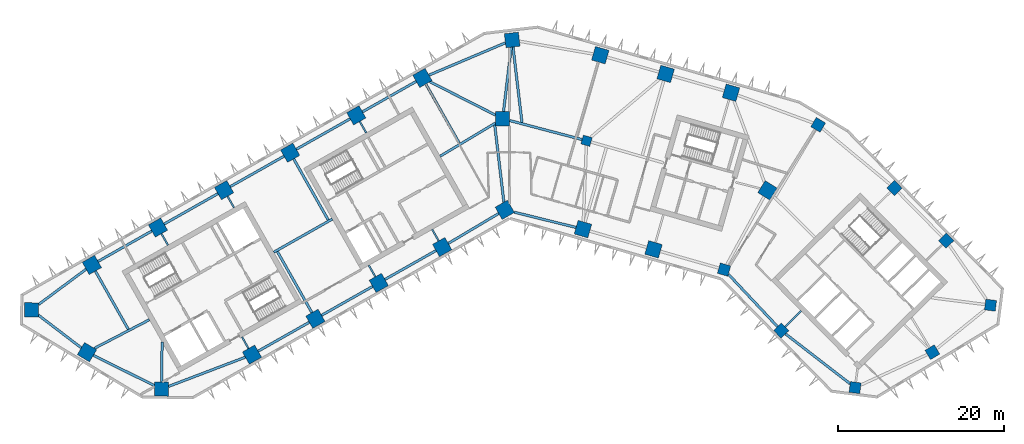
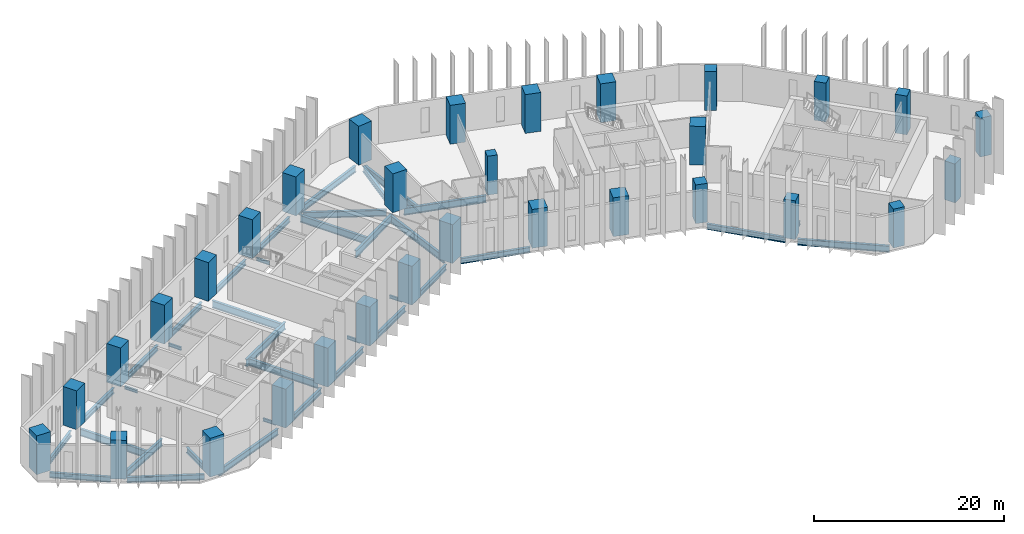
# One storey, part 1 of 11: 37 beams, 31 columns.
"""IFC4 building model written with IfcOpenShell, lengths in metres."""

from ifc_helpers import new_model, si_unit, direction, frame, origin, origin_2d, place, context, subcontext, project, spatial, rectangle, i_section, extrude, material, material_profile, profile_set, type_object, element, save


model = new_model("IFC4")

# Units and contexts
model_context = context("Model", 3, precision=1e-05, world=origin(), true_north=direction((0.0, 1.0)))
body_context = subcontext(model_context, "Body", "Model", "MODEL_VIEW")
ifc_project = project(units=[si_unit("LENGTHUNIT", "METRE"), si_unit("AREAUNIT", "SQUARE_METRE"), si_unit("VOLUMEUNIT", "CUBIC_METRE"), si_unit("PLANEANGLEUNIT", "RADIAN"), si_unit("MASSUNIT", "GRAM", prefix="KILO")], contexts=[model_context])

# Site, building, storey
site_placement = place(None, origin())
site = spatial("IfcSite", under=ifc_project, at=site_placement, CompositionType="ELEMENT")
building_placement = place(site_placement, origin())
building = spatial("IfcBuilding", under=site, at=building_placement, Name="Binnacle Exchange Tower", CompositionType="ELEMENT")
storey_placement = place(building_placement, frame((0.0, 0.0, 46.5)))
storey = spatial("IfcBuildingStorey", under=building, at=storey_placement, Name="L09", CompositionType="ELEMENT", Elevation=46.5)

# Columns
ifc_material_1 = material(Name="Concrete C60/75", Category="concrete")
ifc_material_profile_1 = material_profile(ifc_material_1, rectangle(XDim=1.10009765625, YDim=1.10009765625, at=origin_2d()), Name="Column 1100x1100 C60/75")
ifc_profile_set_1 = profile_set([ifc_material_profile_1], Name="Concrete C60/75")
column_type_1 = type_object("IfcColumnType", Name="Column 1100x1100 C60/75", PredefinedType="COLUMN", material=ifc_profile_set_1)
column_placement = place(storey_placement, frame((9.240966796875, 57.35009765625, 0.0), z_axis=(0.0, 0.0, 1.0), x_axis=(0.961261695938, -0.275637355817, 0.0)))
element("IfcColumn", 1, at=column_placement, inside=storey, type_object=column_type_1, Name="S:COL:C19:L09", PredefinedType="COLUMN", context=body_context, shape_type="SweptSolid", body=[
    extrude(rectangle(XDim=1.10009765625, YDim=1.10009765625, at=origin_2d()), origin(), (0.0, 0.0, 1.0), 5.0),
])
ifc_material_2 = material(Name="Concrete C70/85", Category="concrete")
ifc_material_profile_2 = material_profile(ifc_material_2, rectangle(XDim=1.300048828125, YDim=1.300048828125, at=origin_2d()), Name="Mega column 1300x1300 C70/85")
ifc_profile_set_2 = profile_set([ifc_material_profile_2], Name="Concrete C70/85")
column_type_2 = type_object("IfcColumnType", Name="Mega column 1300x1300 C70/85", PredefinedType="COLUMN", material=ifc_profile_set_2)
for number, where, z_axis, x_axis, name in (
    (2, (37.0849609375, 59.262451171875, 0.0), (0.0, 0.0, 1.0), (-0.859406411501, 0.511293086077, 0.0), "S:COL:MC57:L09"),
    (3, (25.766845703125, 41.85986328125, 0.0), (0.0, 0.0, 1.0), (0.961261695938, -0.275637355817, 0.0), "S:COL:MC56:L09"),
    (4, (32.64111328125, 34.530029296875, 0.0), (0.0, 0.0, 1.0), (0.7009092643, -0.713250449154, 0.0), "S:COL:MC59:L09"),
    (5, (41.519775390625, 27.6748046875, 0.0), (0.0, 0.0, 1.0), (0.99200494968, -0.126198969136, 0.0), "S:COL:MC61:L09"),
    (6, (50.81201171875, 31.930908203125, 0.0), (0.0, 0.0, 1.0), (0.857167300702, 0.51503807491, 0.0), "S:COL:MC63:L09"),
    (7, (57.799072265625, 37.5810546875, 0.0), (0.0, 0.0, 1.0), (0.126198969136, 0.99200494968, 0.0), "S:COL:MC62:L09"),
    (8, (52.466796875, 45.33935546875, 0.0), (0.0, 0.0, 1.0), (-0.7009092643, 0.713250449154, 0.0), "S:COL:MC60:L09"),
    (9, (46.248291015625, 51.667236328125, 0.0), (0.0, 0.0, 1.0), (-0.7009092643, 0.713250449154, 0.0), "S:COL:MC58:L09"),
):
    element("IfcColumn", number, at=place(storey_placement, frame(where, z_axis=z_axis, x_axis=x_axis)), inside=storey, type_object=column_type_2, Name=name, PredefinedType="COLUMN", context=body_context, shape_type="SweptSolid", body=[
        extrude(rectangle(XDim=1.300048828125, YDim=1.300048828125, at=origin_2d()), origin(), (0.0, 0.0, 1.0), 5.0),
    ])
ifc_material_profile_3 = material_profile(ifc_material_2, rectangle(XDim=1.699951171875, YDim=1.699951171875, at=origin_2d()), Name="Mega column 1700x1700 C70/85")
ifc_profile_set_3 = profile_set([ifc_material_profile_3], Name="Concrete C70/85")
column_type_3 = type_object("IfcColumnType", Name="Mega column 1700x1700 C70/85", PredefinedType="COLUMN", material=ifc_profile_set_3)
for number, where, z_axis, x_axis, name in (
    (10, (26.602783203125, 63.12353515625, 0.0), (0.0, 0.0, 1.0), (-0.961261695938, 0.275637355817, 0.0), "S:COL:MC52:L09"),
    (11, (18.746337890625, 65.376220703125, 0.0), (0.0, 0.0, 1.0), (-0.961261695938, 0.275637355817, 0.0), "S:COL:MC50:L09"),
    (12, (10.889892578125, 67.62890625, 0.0), (0.0, 0.0, 1.0), (-0.961261695938, 0.275637355817, 0.0), "S:COL:MC48:L09"),
    (13, (0.300048828125, 69.464111328125, 0.0), (0.0, 0.0, 1.0), (-0.993068456955, -0.117537397458, 0.0), "S:COL:MC47:L09"),
    (14, (-10.4951171875, 64.901611328125, 0.0), (0.0, 0.0, 1.0), (-0.87035569594, -0.492423560103, 0.0), "S:COL:MC38:L09"),
    (15, (-18.44140625, 60.406005859375, 0.0), (0.0, 0.0, 1.0), (-0.87035569594, -0.492423560103, 0.0), "S:COL:MC29:L09"),
    (16, (-26.3876953125, 55.91015625, 0.0), (0.0, 0.0, 1.0), (-0.87035569594, -0.492423560103, 0.0), "S:COL:MC21:L09"),
    (17, (-34.333740234375, 51.414306640625, 0.0), (0.0, 0.0, 1.0), (-0.87035569594, -0.492423560103, 0.0), "S:COL:MC13:L09"),
    (18, (-42.280029296875, 46.918701171875, 0.0), (0.0, 0.0, 1.0), (-0.87035569594, -0.492423560103, 0.0), "S:COL:MC08:L09"),
    (19, (-50.226318359375, 42.4228515625, 0.0), (0.0, 0.0, 1.0), (-0.87035569594, -0.492423560103, 0.0), "S:COL:MC04:L09"),
    (20, (-57.492919921875, 37.02734375, 0.0), (0.0, 0.0, 1.0), (-0.013089595571, -0.999914327574, 0.0), "S:COL:MC02:L09"),
    (21, (-50.81201171875, 31.930908203125, 0.0), (0.0, 0.0, 1.0), (0.857167300702, -0.51503807491, 0.0), "S:COL:MC01:L09"),
    (22, (-41.857666015625, 27.494873046875, 0.0), (0.0, 0.0, 1.0), (0.999914327574, -0.013089595571, 0.0), "S:COL:MC03:L09"),
    (23, (-30.9755859375, 31.63525390625, 0.0), (0.0, 0.0, 1.0), (0.87035569594, 0.492423560103, 0.0), "S:COL:MC07:L09"),
    (24, (-23.35595703125, 35.9462890625, 0.0), (0.0, 0.0, 1.0), (0.87035569594, 0.492423560103, 0.0), "S:COL:MC16:L09"),
    (25, (-15.736328125, 40.257080078125, 0.0), (0.0, 0.0, 1.0), (0.87035569594, 0.492423560103, 0.0), "S:COL:MC24:L09"),
    (26, (-8.116943359375, 44.568115234375, 0.0), (0.0, 0.0, 1.0), (0.87035569594, 0.492423560103, 0.0), "S:COL:MC35:L09"),
    (27, (-0.5908203125, 49.04443359375, 0.0), (0.0, 0.0, 1.0), (0.87035569594, 0.492423560103, 0.0), "S:COL:MC46:L09"),
    (28, (8.8095703125, 46.722412109375, 0.0), (0.0, 0.0, 1.0), (0.961261695938, -0.275637355817, 0.0), "S:COL:MC49:L09"),
    (29, (17.2880859375, 44.291015625, 0.0), (0.0, 0.0, 1.0), (0.961261695938, -0.275637355817, 0.0), "S:COL:MC51:L09"),
    (30, (30.989501953125, 51.38623046875, 0.0), (0.0, 0.0, 1.0), (0.529919264233, 0.848048096156, 0.0), "S:COL:MC55:L09"),
    (31, (-0.85009765625, 60.0, 0.0), (0.0, 0.0, 1.0), (0.0, 1.0, 0.0), "S:COL:MC45:L09"),
):
    element("IfcColumn", number, at=place(storey_placement, frame(where, z_axis=z_axis, x_axis=x_axis)), inside=storey, type_object=column_type_3, Name=name, PredefinedType="COLUMN", context=body_context, shape_type="SweptSolid", body=[
        extrude(rectangle(XDim=1.699951171875, YDim=1.699951171875, at=origin_2d()), origin(), (0.0, 0.0, 1.0), 5.0),
    ])

# Beams
ifc_material_3 = material(Name="Steel S355 (SHN355)", Category="steel")
ifc_material_profile_4 = material_profile(ifc_material_3, i_section(OverallWidth=0.300048828125, OverallDepth=0.699951171875, WebThickness=0.012939453125, FlangeThickness=0.02392578125, FilletRadius=0.028076171875, at=origin_2d()), Name="H 700x300x13x24")
ifc_profile_set_4 = profile_set([ifc_material_profile_4], Name="Steel S355 (SHN355)")
beam_type_1 = type_object("IfcBeamType", Name="Edge girder H 700x300x13x24 Steel S355 (SHN355)", PredefinedType="SPANDREL", material=ifc_profile_set_4)
beam_1_placement = place(storey_placement, frame((-56.6513671875, 36.38525390625, -0.669921875), z_axis=(0.795093040263, -0.606487474994, 0.0), x_axis=(0.606487474994, 0.795093040263, 0.0)))
element("IfcBeam", 32, at=beam_1_placement, inside=storey, type_object=beam_type_1, Name="S:BM:edge:L09:015", PredefinedType="SPANDREL", context=body_context, shape_type="SweptSolid", body=[
    extrude(i_section(OverallWidth=0.300048828125, OverallDepth=0.699951171875, WebThickness=0.012939453125, FlangeThickness=0.02392578125, FilletRadius=0.028076171875, at=origin_2d()), origin(), (0.0, 0.0, 1.0), 6.489013671875),
])
beam_2_placement = place(storey_placement, frame((-50.913818359375, 41.912353515625, -0.669921875), z_axis=(-0.80288535334, -0.59613346609, 0.0), x_axis=(0.59613346609, -0.80288535334, 0.0)))
element("IfcBeam", 33, at=beam_2_placement, inside=storey, type_object=beam_type_1, Name="S:BM:edge:L09:016", PredefinedType="SPANDREL", context=body_context, shape_type="SweptSolid", body=[
    extrude(i_section(OverallWidth=0.300048828125, OverallDepth=0.699951171875, WebThickness=0.012939453125, FlangeThickness=0.02392578125, FilletRadius=0.028076171875, at=origin_2d()), origin(), (0.0, 0.0, 1.0), 7.125244140625),
])
beam_3_placement = place(storey_placement, frame((-43.019775390625, 46.5, -0.669921875), z_axis=(-0.870364477798, -0.492408037898, 0.0), x_axis=(0.492408037898, -0.870364477798, 0.0)))
element("IfcBeam", 34, at=beam_3_placement, inside=storey, type_object=beam_type_1, Name="S:BM:edge:L09:018", PredefinedType="SPANDREL", context=body_context, shape_type="SweptSolid", body=[
    extrude(i_section(OverallWidth=0.300048828125, OverallDepth=0.699951171875, WebThickness=0.012939453125, FlangeThickness=0.02392578125, FilletRadius=0.028076171875, at=origin_2d()), origin(), (0.0, 0.0, 1.0), 7.4296875),
])
beam_4_placement = place(storey_placement, frame((-35.073486328125, 50.995849609375, -0.669921875), z_axis=(-0.870372444894, -0.492393955253, 0.0), x_axis=(0.492393955253, -0.870372444894, 0.0)))
element("IfcBeam", 35, at=beam_4_placement, inside=storey, type_object=beam_type_1, Name="S:BM:edge:L09:020", PredefinedType="SPANDREL", context=body_context, shape_type="SweptSolid", body=[
    extrude(i_section(OverallWidth=0.300048828125, OverallDepth=0.699951171875, WebThickness=0.012939453125, FlangeThickness=0.02392578125, FilletRadius=0.028076171875, at=origin_2d()), origin(), (0.0, 0.0, 1.0), 7.429931640625),
])
beam_5_placement = place(storey_placement, frame((-30.23583984375, 32.053955078125, -0.669921875), z_axis=(0.870373276953, 0.492392484473, 0.0), x_axis=(-0.492392484473, 0.870373276953, 0.0)))
element("IfcBeam", 36, at=beam_5_placement, inside=storey, type_object=beam_type_1, Name="S:BM:edge:L09:021", PredefinedType="SPANDREL", context=body_context, shape_type="SweptSolid", body=[
    extrude(i_section(OverallWidth=0.300048828125, OverallDepth=0.699951171875, WebThickness=0.012939453125, FlangeThickness=0.02392578125, FilletRadius=0.028076171875, at=origin_2d()), origin(), (0.0, 0.0, 1.0), 7.0546875),
])
beam_6_placement = place(storey_placement, frame((-27.12744140625, 55.49169921875, -0.669921875), z_axis=(-0.870350394687, -0.492432929919, 0.0), x_axis=(0.492432929919, -0.870350394687, 0.0)))
element("IfcBeam", 37, at=beam_6_placement, inside=storey, type_object=beam_type_1, Name="S:BM:edge:L09:022", PredefinedType="SPANDREL", context=body_context, shape_type="SweptSolid", body=[
    extrude(i_section(OverallWidth=0.300048828125, OverallDepth=0.699951171875, WebThickness=0.012939453125, FlangeThickness=0.02392578125, FilletRadius=0.028076171875, at=origin_2d()), origin(), (0.0, 0.0, 1.0), 7.429931640625),
])
beam_7_placement = place(storey_placement, frame((-22.6162109375, 36.36474609375, -0.669921875), z_axis=(0.870350053651, 0.492433532681, 0.0), x_axis=(-0.492433532681, 0.870350053651, 0.0)))
element("IfcBeam", 38, at=beam_7_placement, inside=storey, type_object=beam_type_1, Name="S:BM:edge:L09:023", PredefinedType="SPANDREL", context=body_context, shape_type="SweptSolid", body=[
    extrude(i_section(OverallWidth=0.300048828125, OverallDepth=0.699951171875, WebThickness=0.012939453125, FlangeThickness=0.02392578125, FilletRadius=0.028076171875, at=origin_2d()), origin(), (0.0, 0.0, 1.0), 7.054443359375),
])
beam_8_placement = place(storey_placement, frame((-19.18115234375, 59.9873046875, -0.669921875), z_axis=(-0.870364477798, -0.492408037898, 0.0), x_axis=(0.492408037898, -0.870364477798, 0.0)))
element("IfcBeam", 39, at=beam_8_placement, inside=storey, type_object=beam_type_1, Name="S:BM:edge:L09:024", PredefinedType="SPANDREL", context=body_context, shape_type="SweptSolid", body=[
    extrude(i_section(OverallWidth=0.300048828125, OverallDepth=0.699951171875, WebThickness=0.012939453125, FlangeThickness=0.02392578125, FilletRadius=0.028076171875, at=origin_2d()), origin(), (0.0, 0.0, 1.0), 7.4296875),
])
beam_9_placement = place(storey_placement, frame((-14.99658203125, 40.67578125, -0.669921875), z_axis=(0.870364886025, 0.492407316329, 0.0), x_axis=(-0.492407316329, 0.870364886025, 0.0)))
element("IfcBeam", 40, at=beam_9_placement, inside=storey, type_object=beam_type_1, Name="S:BM:edge:L09:025", PredefinedType="SPANDREL", context=body_context, shape_type="SweptSolid", body=[
    extrude(i_section(OverallWidth=0.300048828125, OverallDepth=0.699951171875, WebThickness=0.012939453125, FlangeThickness=0.02392578125, FilletRadius=0.028076171875, at=origin_2d()), origin(), (0.0, 0.0, 1.0), 7.054443359375),
])
beam_10_placement = place(storey_placement, frame((-11.23486328125, 64.483154296875, -0.669921875), z_axis=(-0.870364477798, -0.492408037898, 0.0), x_axis=(0.492408037898, -0.870364477798, 0.0)))
element("IfcBeam", 41, at=beam_10_placement, inside=storey, type_object=beam_type_1, Name="S:BM:edge:L09:026", PredefinedType="SPANDREL", context=body_context, shape_type="SweptSolid", body=[
    extrude(i_section(OverallWidth=0.300048828125, OverallDepth=0.699951171875, WebThickness=0.012939453125, FlangeThickness=0.02392578125, FilletRadius=0.028076171875, at=origin_2d()), origin(), (0.0, 0.0, 1.0), 7.4296875),
])
beam_11_placement = place(storey_placement, frame((-7.38623046875, 45.002685546875, -0.669921875), z_axis=(0.859464815262, 0.511194905419, 0.0), x_axis=(-0.511194905419, 0.859464815262, 0.0)))
element("IfcBeam", 42, at=beam_11_placement, inside=storey, type_object=beam_type_1, Name="S:BM:edge:L09:027", PredefinedType="SPANDREL", context=body_context, shape_type="SweptSolid", body=[
    extrude(i_section(OverallWidth=0.300048828125, OverallDepth=0.699951171875, WebThickness=0.012939453125, FlangeThickness=0.02392578125, FilletRadius=0.028076171875, at=origin_2d()), origin(), (0.0, 0.0, 1.0), 7.056396484375),
])
beam_12_placement = place(storey_placement, frame((0.54443359375, 48.763916015625, -0.669921875), z_axis=(0.970818997342, -0.239813415805, 0.0), x_axis=(0.239813415805, 0.970818997342, 0.0)))
element("IfcBeam", 43, at=beam_12_placement, inside=storey, type_object=beam_type_1, Name="S:BM:edge:L09:029", PredefinedType="SPANDREL", context=body_context, shape_type="SweptSolid", body=[
    extrude(i_section(OverallWidth=0.300048828125, OverallDepth=0.699951171875, WebThickness=0.012939453125, FlangeThickness=0.02392578125, FilletRadius=0.028076171875, at=origin_2d()), origin(), (0.0, 0.0, 1.0), 7.662841796875),
])
ifc_material_profile_5 = material_profile(ifc_material_3, i_section(OverallWidth=0.302001953125, OverallDepth=0.7080078125, WebThickness=0.014892578125, FlangeThickness=0.028076171875, FilletRadius=0.028076171875, at=origin_2d()), Name="H 708x302x15x28")
ifc_profile_set_5 = profile_set([ifc_material_profile_5], Name="Steel S355 (SHN355)")
beam_type_2 = type_object("IfcBeamType", Name="Edge girder H 708x302x15x28 Steel S355 (SHN355)", PredefinedType="SPANDREL", material=ifc_profile_set_5)
beam_13_placement = place(storey_placement, frame((-50.0478515625, 31.55224609375, -0.674072265625), z_axis=(0.896059216286, -0.443934545749, 0.0), x_axis=(0.443934545749, 0.896059216286, 0.0)))
element("IfcBeam", 44, at=beam_13_placement, inside=storey, type_object=beam_type_2, Name="S:BM:edge:L09:017", PredefinedType="SPANDREL", context=body_context, shape_type="SweptSolid", body=[
    extrude(i_section(OverallWidth=0.302001953125, OverallDepth=0.7080078125, WebThickness=0.014892578125, FlangeThickness=0.028076171875, FilletRadius=0.028076171875, at=origin_2d()), origin(), (0.0, 0.0, 1.0), 8.197509765625),
])
beam_14_placement = place(storey_placement, frame((26.284912109375, 41.3076171875, -0.674072265625), z_axis=(0.684056711164, -0.729428828544, 0.0), x_axis=(0.729428828544, 0.684056711164, 0.0)))
element("IfcBeam", 45, at=beam_14_placement, inside=storey, type_object=beam_type_2, Name="S:BM:edge:L09:035", PredefinedType="SPANDREL", context=body_context, shape_type="SweptSolid", body=[
    extrude(i_section(OverallWidth=0.302001953125, OverallDepth=0.7080078125, WebThickness=0.014892578125, FlangeThickness=0.028076171875, FilletRadius=0.028076171875, at=origin_2d()), origin(), (0.0, 0.0, 1.0), 8.6416015625),
])
ifc_material_profile_6 = material_profile(ifc_material_3, i_section(OverallWidth=0.302001953125, OverallDepth=0.80810546875, WebThickness=0.01611328125, FlangeThickness=0.030029296875, FilletRadius=0.028076171875, at=origin_2d()), Name="H 808x302x16x30")
ifc_profile_set_6 = profile_set([ifc_material_profile_6], Name="Steel S355 (SHN355)")
beam_type_3 = type_object("IfcBeamType", Name="Edge girder H 808x302x16x30 Steel S355 (SHN355)", PredefinedType="SPANDREL", material=ifc_profile_set_6)
beam_15_placement = place(storey_placement, frame((-41.00341796875, 27.81982421875, -0.72412109375), z_axis=(0.934628738252, 0.355624973297, 0.0), x_axis=(-0.355624973297, 0.934628738252, 0.0)))
element("IfcBeam", 46, at=beam_15_placement, inside=storey, type_object=beam_type_3, Name="S:BM:edge:L09:019", PredefinedType="SPANDREL", context=body_context, shape_type="SweptSolid", body=[
    extrude(i_section(OverallWidth=0.302001953125, OverallDepth=0.80810546875, WebThickness=0.01611328125, FlangeThickness=0.030029296875, FilletRadius=0.028076171875, at=origin_2d()), origin(), (0.0, 0.0, 1.0), 9.869384765625),
])
beam_16_placement = place(storey_placement, frame((-0.51513671875, 69.11962890625, -0.72412109375), z_axis=(-0.921111373297, -0.389299162578, 0.0), x_axis=(0.389299162578, -0.921111373297, 0.0)))
element("IfcBeam", 47, at=beam_16_placement, inside=storey, type_object=beam_type_3, Name="S:BM:edge:L09:028", PredefinedType="SPANDREL", context=body_context, shape_type="SweptSolid", body=[
    extrude(i_section(OverallWidth=0.302001953125, OverallDepth=0.80810546875, WebThickness=0.01611328125, FlangeThickness=0.030029296875, FilletRadius=0.028076171875, at=origin_2d()), origin(), (0.0, 0.0, 1.0), 9.978759765625),
])
beam_17_placement = place(storey_placement, frame((33.160400390625, 34.12890625, -0.72412109375), z_axis=(0.791533490776, -0.611125791454, 0.0), x_axis=(0.611125791454, 0.791533490776, 0.0)))
element("IfcBeam", 48, at=beam_17_placement, inside=storey, type_object=beam_type_3, Name="S:BM:edge:L09:036", PredefinedType="SPANDREL", context=body_context, shape_type="SweptSolid", body=[
    extrude(i_section(OverallWidth=0.302001953125, OverallDepth=0.80810546875, WebThickness=0.01611328125, FlangeThickness=0.030029296875, FilletRadius=0.028076171875, at=origin_2d()), origin(), (0.0, 0.0, 1.0), 9.80712890625),
])
ifc_material_profile_7 = material_profile(ifc_material_3, i_section(OverallWidth=0.199951171875, OverallDepth=0.39990234375, WebThickness=0.008056640625, FlangeThickness=0.012939453125, FilletRadius=0.01611328125, at=origin_2d()), Name="H 400x200x8x13")
ifc_profile_set_7 = profile_set([ifc_material_profile_7], Name="Steel S355 (SHN355)")
beam_type_4 = type_object("IfcBeamType", Name="Floor beam H 400x200x8x13 Steel S355 (SHN355)", PredefinedType="BEAM", material=ifc_profile_set_7)
beam_18_placement = place(storey_placement, frame((-41.861328125, 46.178955078125, -0.52001953125), z_axis=(0.492366981934, -0.870387703901, 0.0), x_axis=(0.870387703901, 0.492366981934, 0.0)))
element("IfcBeam", 49, at=beam_18_placement, inside=storey, type_object=beam_type_4, Name="S:BM:cross:L09:044", PredefinedType="BEAM", context=body_context, shape_type="SweptSolid", body=[
    extrude(i_section(OverallWidth=0.199951171875, OverallDepth=0.39990234375, WebThickness=0.008056640625, FlangeThickness=0.012939453125, FilletRadius=0.01611328125, at=origin_2d()), origin(), (0.0, 0.0, 1.0), 1.584228515625),
])
beam_19_placement = place(storey_placement, frame((-33.915283203125, 50.674560546875, -0.52001953125), z_axis=(0.492483715062, -0.870321659158, 0.0), x_axis=(0.870321659158, 0.492483715062, 0.0)))
element("IfcBeam", 50, at=beam_19_placement, inside=storey, type_object=beam_type_4, Name="S:BM:cross:L09:046", PredefinedType="BEAM", context=body_context, shape_type="SweptSolid", body=[
    extrude(i_section(OverallWidth=0.199951171875, OverallDepth=0.39990234375, WebThickness=0.008056640625, FlangeThickness=0.012939453125, FilletRadius=0.01611328125, at=origin_2d()), origin(), (0.0, 0.0, 1.0), 1.58447265625),
])
for number, where, z_axis, x_axis, name in (
    (51, (-31.394287109375, 32.375, -0.52001953125), (-0.492366981934, 0.870387703901, 0.0), (-0.870387703901, -0.492366981934, 0.0), "S:BM:cross:L09:047"),
    (52, (-18.022705078125, 59.666259765625, -0.52001953125), (0.492366981934, -0.870387703901, 0.0), (0.870387703901, 0.492366981934, 0.0), "S:BM:cross:L09:050"),
    (53, (-16.155029296875, 40.9970703125, -0.52001953125), (-0.492366981934, 0.870387703901, 0.0), (-0.870387703901, -0.492366981934, 0.0), "S:BM:cross:L09:051"),
):
    element("IfcBeam", number, at=place(storey_placement, frame(where, z_axis=z_axis, x_axis=x_axis)), inside=storey, type_object=beam_type_4, Name=name, PredefinedType="BEAM", context=body_context, shape_type="SweptSolid", body=[
        extrude(i_section(OverallWidth=0.199951171875, OverallDepth=0.39990234375, WebThickness=0.008056640625, FlangeThickness=0.012939453125, FilletRadius=0.01611328125, at=origin_2d()), origin(), (0.0, 0.0, 1.0), 1.584228515625),
    ])
beam_20_placement = place(storey_placement, frame((-8.535400390625, 45.307861328125, -0.52001953125), z_axis=(-0.492483715062, 0.870321659158, 0.0), x_axis=(-0.870321659158, -0.492483715062, 0.0)))
element("IfcBeam", 54, at=beam_20_placement, inside=storey, type_object=beam_type_4, Name="S:BM:cross:L09:053", PredefinedType="BEAM", context=body_context, shape_type="SweptSolid", body=[
    extrude(i_section(OverallWidth=0.199951171875, OverallDepth=0.39990234375, WebThickness=0.008056640625, FlangeThickness=0.012939453125, FilletRadius=0.01611328125, at=origin_2d()), origin(), (0.0, 0.0, 1.0), 1.58447265625),
])
ifc_material_profile_8 = material_profile(ifc_material_3, i_section(OverallWidth=0.199951171875, OverallDepth=0.449951171875, WebThickness=0.009033203125, FlangeThickness=0.013916015625, FilletRadius=0.01806640625, at=origin_2d()), Name="H 450x200x9x14")
ifc_profile_set_8 = profile_set([ifc_material_profile_8], Name="Steel S355 (SHN355)")
beam_type_5 = type_object("IfcBeamType", Name="Floor beam H 450x200x9x14 Steel S355 (SHN355)", PredefinedType="BEAM", material=ifc_profile_set_8)
beam_21_placement = place(storey_placement, frame((33.104736328125, 34.985595703125, -0.544921875), z_axis=(0.713254209224, 0.700905438004, 0.0), x_axis=(-0.700905438004, 0.713254209224, 0.0)))
element("IfcBeam", 55, at=beam_21_placement, inside=storey, type_object=beam_type_5, Name="S:BM:cross:L09:061", PredefinedType="BEAM", context=body_context, shape_type="SweptSolid", body=[
    extrude(i_section(OverallWidth=0.199951171875, OverallDepth=0.449951171875, WebThickness=0.009033203125, FlangeThickness=0.013916015625, FilletRadius=0.01806640625, at=origin_2d()), origin(), (0.0, 0.0, 1.0), 2.70849609375),
])
ifc_material_profile_9 = material_profile(ifc_material_3, i_section(OverallWidth=0.300048828125, OverallDepth=0.699951171875, WebThickness=0.012939453125, FlangeThickness=0.02392578125, FilletRadius=0.028076171875, at=origin_2d()), Name="H 700x300x13x24")
ifc_profile_set_9 = profile_set([ifc_material_profile_9], Name="Steel S355 (SHN355)")
beam_type_6 = type_object("IfcBeamType", Name="Floor beam H 700x300x13x24 Steel S355 (SHN355)", PredefinedType="BEAM", material=ifc_profile_set_9)
beam_22_placement = place(storey_placement, frame((-41.8466796875, 28.3447265625, -0.669921875), z_axis=(0.013120628196, 0.999913920853, 0.0), x_axis=(-0.999913920853, 0.013120628196, 0.0)))
element("IfcBeam", 56, at=beam_22_placement, inside=storey, type_object=beam_type_6, Name="S:BM:cross:L09:045", PredefinedType="BEAM", context=body_context, shape_type="SweptSolid", body=[
    extrude(i_section(OverallWidth=0.300048828125, OverallDepth=0.699951171875, WebThickness=0.012939453125, FlangeThickness=0.02392578125, FilletRadius=0.028076171875, at=origin_2d()), origin(), (0.0, 0.0, 1.0), 4.80078125),
])
ifc_material_profile_10 = material_profile(ifc_material_3, i_section(OverallWidth=0.300048828125, OverallDepth=0.89990234375, WebThickness=0.01611328125, FlangeThickness=0.028076171875, FilletRadius=0.028076171875, at=origin_2d()), Name="H 900x300x16x28")
ifc_profile_set_10 = profile_set([ifc_material_profile_10], Name="Steel S355 (SHN355)")
beam_type_7 = type_object("IfcBeamType", Name="Floor beam H 900x300x16x28 Steel S355 (SHN355)", PredefinedType="BEAM", material=ifc_profile_set_10)
beam_23_placement = place(storey_placement, frame((-49.8076171875, 41.68310546875, -0.77001953125), z_axis=(0.492423370769, -0.87035580306, 0.0), x_axis=(0.87035580306, 0.492423370769, 0.0)))
element("IfcBeam", 57, at=beam_23_placement, inside=storey, type_object=beam_type_7, Name="S:BM:cross:L09:043", PredefinedType="BEAM", context=body_context, shape_type="SweptSolid", body=[
    extrude(i_section(OverallWidth=0.300048828125, OverallDepth=0.89990234375, WebThickness=0.01611328125, FlangeThickness=0.028076171875, FilletRadius=0.028076171875, at=origin_2d()), origin(), (0.0, 0.0, 1.0), 8.041259765625),
])
beam_24_placement = place(storey_placement, frame((-10.076416015625, 64.161865234375, -0.77001953125), z_axis=(0.492410737926, -0.870362950254, 0.0), x_axis=(0.870362950254, 0.492410737926, 0.0)))
element("IfcBeam", 58, at=beam_24_placement, inside=storey, type_object=beam_type_7, Name="S:BM:cross:L09:052", PredefinedType="BEAM", context=body_context, shape_type="SweptSolid", body=[
    extrude(i_section(OverallWidth=0.300048828125, OverallDepth=0.89990234375, WebThickness=0.01611328125, FlangeThickness=0.028076171875, FilletRadius=0.028076171875, at=origin_2d()), origin(), (0.0, 0.0, 1.0), 8.16943359375),
])
ifc_material_profile_11 = material_profile(ifc_material_3, i_section(OverallWidth=0.302001953125, OverallDepth=0.912109375, WebThickness=0.01806640625, FlangeThickness=0.033935546875, FilletRadius=0.028076171875, at=origin_2d()), Name="H 912x302x18x34")
ifc_profile_set_11 = profile_set([ifc_material_profile_11], Name="Steel S355 (SHN355)")
beam_type_8 = type_object("IfcBeamType", Name="Floor beam H 912x302x18x34 Steel S355 (SHN355)", PredefinedType="BEAM", material=ifc_profile_set_11)
for number, where, z_axis, x_axis, name in (
    (59, (-25.968994140625, 55.17041015625, -0.77587890625), (0.492409177884, -0.870363832851, 0.0), (0.870363832851, 0.492409177884, 0.0), "S:BM:cross:L09:048"),
    (60, (-23.774658203125, 36.68603515625, -0.77587890625), (-0.492409177884, 0.870363832851, 0.0), (-0.870363832851, -0.492409177884, 0.0), "S:BM:cross:L09:049"),
):
    element("IfcBeam", number, at=place(storey_placement, frame(where, z_axis=z_axis, x_axis=x_axis)), inside=storey, type_object=beam_type_8, Name=name, PredefinedType="BEAM", context=body_context, shape_type="SweptSolid", body=[
        extrude(i_section(OverallWidth=0.302001953125, OverallDepth=0.912109375, WebThickness=0.01806640625, FlangeThickness=0.033935546875, FilletRadius=0.028076171875, at=origin_2d()), origin(), (0.0, 0.0, 1.0), 8.43408203125),
    ])
ifc_material_profile_12 = material_profile(ifc_material_3, i_section(OverallWidth=0.302978515625, OverallDepth=0.91796875, WebThickness=0.01904296875, FlangeThickness=0.037109375, FilletRadius=0.028076171875, at=origin_2d()), Name="H 918x303x19x37")
ifc_profile_set_12 = profile_set([ifc_material_profile_12], Name="Steel S355 (SHN355)")
beam_type_9 = type_object("IfcBeamType", Name="Floor beam H 918x303x19x37 Steel S355 (SHN355)", PredefinedType="BEAM", material=ifc_profile_set_12)
beam_25_placement = place(storey_placement, frame((-0.69921875, 49.959716796875, -0.779052734375), z_axis=(-0.117528717449, 0.993069484263, 0.0), x_axis=(-0.993069484263, -0.117528717449, 0.0)))
element("IfcBeam", 61, at=beam_25_placement, inside=storey, type_object=beam_type_9, Name="S:BM:cross:L09:054", PredefinedType="BEAM", context=body_context, shape_type="SweptSolid", body=[
    extrude(i_section(OverallWidth=0.302978515625, OverallDepth=0.91796875, WebThickness=0.01904296875, FlangeThickness=0.037109375, FilletRadius=0.028076171875, at=origin_2d()), origin(), (0.0, 0.0, 1.0), 9.374755859375),
])
beam_26_placement = place(storey_placement, frame((0.39990234375, 68.6201171875, -0.779052734375), z_axis=(0.117562643201, -0.993065468599, 0.0), x_axis=(0.993065468599, 0.117562643201, 0.0)))
element("IfcBeam", 62, at=beam_26_placement, inside=storey, type_object=beam_type_9, Name="S:BM:cross:L09:055", PredefinedType="BEAM", context=body_context, shape_type="SweptSolid", body=[
    extrude(i_section(OverallWidth=0.302978515625, OverallDepth=0.91796875, WebThickness=0.01904296875, FlangeThickness=0.037109375, FilletRadius=0.028076171875, at=origin_2d()), origin(), (0.0, 0.0, 1.0), 9.14990234375),
])
ifc_material_profile_13 = material_profile(ifc_material_3, i_section(OverallWidth=0.302001953125, OverallDepth=0.7080078125, WebThickness=0.014892578125, FlangeThickness=0.028076171875, FilletRadius=0.028076171875, at=origin_2d()), Name="H 708x302x15x28")
ifc_profile_set_13 = profile_set([ifc_material_profile_13], Name="Steel S355 (SHN355)")
beam_type_10 = type_object("IfcBeamType", Name="Spine girder H 708x302x15x28 Steel S355 (SHN355)", PredefinedType="BEAM", material=ifc_profile_set_13)
beam_27_placement = place(storey_placement, frame((-0.74658203125, 60.85009765625, -0.674072265625), z_axis=(0.120621974738, 0.992698513755, 0.0), x_axis=(-0.992698513755, 0.120621974738, 0.0)))
element("IfcBeam", 63, at=beam_27_placement, inside=storey, type_object=beam_type_10, Name="S:BM:spine:L09:005", PredefinedType="BEAM", context=body_context, shape_type="SweptSolid", body=[
    extrude(i_section(OverallWidth=0.302001953125, OverallDepth=0.7080078125, WebThickness=0.014892578125, FlangeThickness=0.028076171875, FilletRadius=0.028076171875, at=origin_2d()), origin(), (0.0, 0.0, 1.0), 7.802490234375),
])
ifc_material_profile_14 = material_profile(ifc_material_3, i_section(OverallWidth=0.302001953125, OverallDepth=0.80810546875, WebThickness=0.01611328125, FlangeThickness=0.030029296875, FilletRadius=0.028076171875, at=origin_2d()), Name="H 808x302x16x30")
ifc_profile_set_14 = profile_set([ifc_material_profile_14], Name="Steel S355 (SHN355)")
beam_type_11 = type_object("IfcBeamType", Name="Spine girder H 808x302x16x30 Steel S355 (SHN355)", PredefinedType="BEAM", material=ifc_profile_set_14)
beam_28_placement = place(storey_placement, frame((-1.699951171875, 60.431884765625, -0.72412109375), z_axis=(-0.891471296315, 0.45307717648, 0.0), x_axis=(-0.45307717648, -0.891471296315, 0.0)))
element("IfcBeam", 64, at=beam_28_placement, inside=storey, type_object=beam_type_11, Name="S:BM:spine:L09:004", PredefinedType="BEAM", context=body_context, shape_type="SweptSolid", body=[
    extrude(i_section(OverallWidth=0.302001953125, OverallDepth=0.80810546875, WebThickness=0.01611328125, FlangeThickness=0.030029296875, FilletRadius=0.028076171875, at=origin_2d()), origin(), (0.0, 0.0, 1.0), 8.845703125),
])
ifc_material_profile_15 = material_profile(ifc_material_3, i_section(OverallWidth=0.300048828125, OverallDepth=0.89990234375, WebThickness=0.01611328125, FlangeThickness=0.028076171875, FilletRadius=0.028076171875, at=origin_2d()), Name="H 900x300x16x28")
ifc_profile_set_15 = profile_set([ifc_material_profile_15], Name="Steel S355 (SHN355)")
beam_type_12 = type_object("IfcBeamType", Name="Spine girder H 900x300x16x28 Steel S355 (SHN355)", PredefinedType="BEAM", material=ifc_profile_set_15)
beam_29_placement = place(storey_placement, frame((-49.927734375, 32.391357421875, -0.77001953125), z_axis=(0.886979965344, 0.461807904954, 0.0), x_axis=(-0.461807904954, 0.886979965344, 0.0)))
element("IfcBeam", 65, at=beam_29_placement, inside=storey, type_object=beam_type_12, Name="S:BM:spine:L09:001", PredefinedType="BEAM", context=body_context, shape_type="SweptSolid", body=[
    extrude(i_section(OverallWidth=0.300048828125, OverallDepth=0.89990234375, WebThickness=0.01611328125, FlangeThickness=0.028076171875, FilletRadius=0.028076171875, at=origin_2d()), origin(), (0.0, 0.0, 1.0), 7.463623046875),
])
beam_30_placement = place(storey_placement, frame((-8.36328125, 55.489990234375, -0.77001953125), z_axis=(0.857393122678, 0.514662057261, 0.0), x_axis=(-0.514662057261, 0.857393122678, 0.0)))
element("IfcBeam", 66, at=beam_30_placement, inside=storey, type_object=beam_type_12, Name="S:BM:spine:L09:003", PredefinedType="BEAM", context=body_context, shape_type="SweptSolid", body=[
    extrude(i_section(OverallWidth=0.300048828125, OverallDepth=0.89990234375, WebThickness=0.01611328125, FlangeThickness=0.028076171875, FilletRadius=0.028076171875, at=origin_2d()), origin(), (0.0, 0.0, 1.0), 7.771728515625),
])
ifc_material_profile_16 = material_profile(ifc_material_3, i_section(OverallWidth=0.302001953125, OverallDepth=0.912109375, WebThickness=0.01806640625, FlangeThickness=0.033935546875, FilletRadius=0.028076171875, at=origin_2d()), Name="H 912x302x18x34")
ifc_profile_set_16 = profile_set([ifc_material_profile_16], Name="Steel S355 (SHN355)")
beam_type_13 = type_object("IfcBeamType", Name="Spine girder H 912x302x18x34 Steel S355 (SHN355)", PredefinedType="BEAM", material=ifc_profile_set_16)
beam_31_placement = place(storey_placement, frame((-28.365478515625, 43.951416015625, -0.77587890625), z_axis=(0.870350319004, 0.492433063684, 0.0), x_axis=(-0.492433063684, 0.870350319004, 0.0)))
element("IfcBeam", 67, at=beam_31_placement, inside=storey, type_object=beam_type_13, Name="S:BM:spine:L09:002", PredefinedType="BEAM", context=body_context, shape_type="SweptSolid", body=[
    extrude(i_section(OverallWidth=0.302001953125, OverallDepth=0.912109375, WebThickness=0.01806640625, FlangeThickness=0.033935546875, FilletRadius=0.028076171875, at=origin_2d()), origin(), (0.0, 0.0, 1.0), 8.0908203125),
])
ifc_material_profile_17 = material_profile(ifc_material_3, i_section(OverallWidth=0.302978515625, OverallDepth=0.91796875, WebThickness=0.01904296875, FlangeThickness=0.037109375, FilletRadius=0.028076171875, at=origin_2d()), Name="H 918x303x19x37")
ifc_profile_set_17 = profile_set([ifc_material_profile_17], Name="Steel S355 (SHN355)")
beam_type_14 = type_object("IfcBeamType", Name="Spine girder H 918x303x19x37 Steel S355 (SHN355)", PredefinedType="BEAM", material=ifc_profile_set_17)
beam_32_placement = place(storey_placement, frame((0.0, 59.77685546875, -0.779052734375), z_axis=(0.967208571477, -0.253983423202, 0.0), x_axis=(0.253983423202, 0.967208571477, 0.0)))
element("IfcBeam", 68, at=beam_32_placement, inside=storey, type_object=beam_type_14, Name="S:BM:spine:L09:006", PredefinedType="BEAM", context=body_context, shape_type="SweptSolid", body=[
    extrude(i_section(OverallWidth=0.302978515625, OverallDepth=0.91796875, WebThickness=0.01904296875, FlangeThickness=0.037109375, FilletRadius=0.028076171875, at=origin_2d()), origin(), (0.0, 0.0, 1.0), 9.00390625),
])

save(model, "model.ifc")
